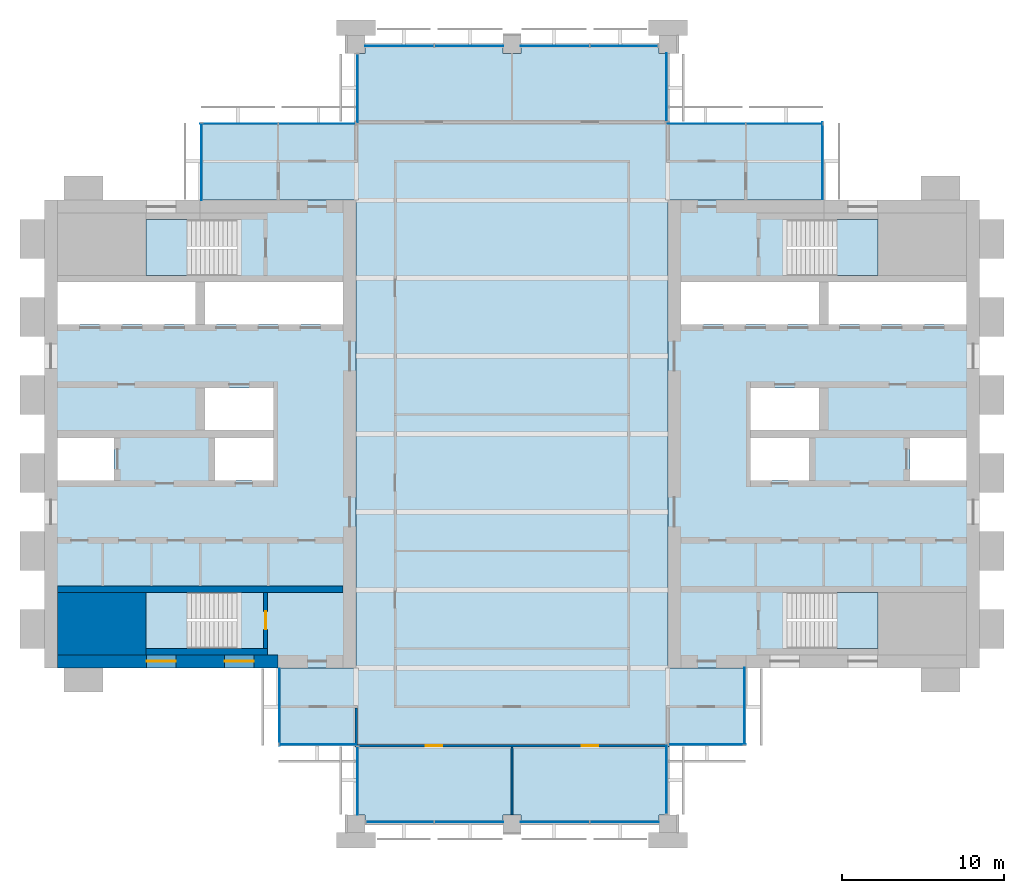
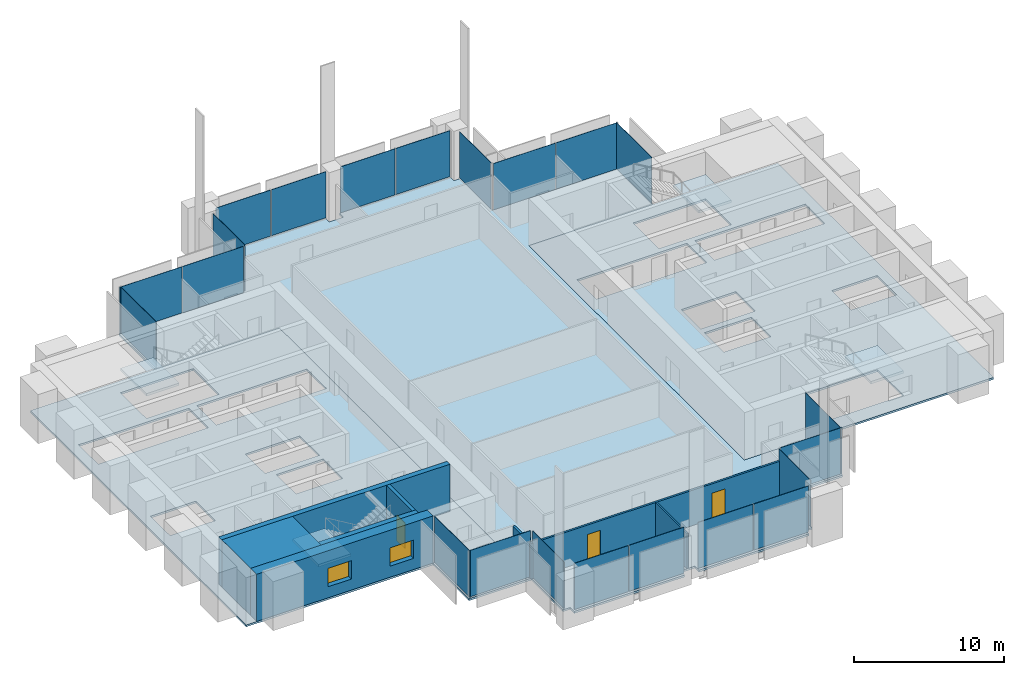
# One storey, part 7 of 13: 22 plates, 8 walls, 7 slabs, 3 doors, 2 windows, 5 openings, 18 elements without a shape of their own.
"""IFC4 building model written with IfcOpenShell, lengths in metres."""

import ifcopenshell
import ifcopenshell.guid

model = None  # the IFC model being written
_history = None  # IfcOwnerHistory: only IFC2X3 demands one
_inside = {}  # id of a spatial element -> (the spatial element, [elements in it])
_under = {}  # id of a project, library or spatial element -> (it, [spatial elements below it])
_declared = {}  # id of a project -> (the project, [libraries it declares])
_typed = {}  # id of a type object -> (the type object, [elements of that type])
_made_of = {}  # id of a material, layer set ... -> (it, [elements and type objects made of it])


def new_model(schema):
    """Start an empty IFC model of exactly this schema.

    Asked for "IFC4X3", IfcOpenShell would pick the latest addendum, in which some entities
    have other attributes; the version numbers below select the first issue.
    IFC2X3 requires an IfcOwnerHistory on every rooted entity: one is made here for all.
    """
    global model, _history
    if schema == "IFC4X3":
        model = ifcopenshell.file(schema_version=(4, 3, 0, 0))
    else:
        model = ifcopenshell.file(schema=schema)
    _inside.clear()
    _under.clear()
    _declared.clear()
    _typed.clear()
    _made_of.clear()
    _history = None
    if model.schema == "IFC2X3":
        org = make("IfcOrganization", Name="unknown")
        user = make(
            "IfcPersonAndOrganization",
            ThePerson=make("IfcPerson", FamilyName="unknown"),
            TheOrganization=org,
        )
        app = make(
            "IfcApplication",
            ApplicationDeveloper=org,
            Version="unknown",
            ApplicationFullName="unknown",
            ApplicationIdentifier="unknown",
        )
        _history = make(
            "IfcOwnerHistory",
            OwningUser=user,
            OwningApplication=app,
            ChangeAction="ADDED",
            CreationDate=0,
        )
    return model


def make(cls, **values):
    """One entity of the class cls with the attributes given. An attribute that is None is left unset."""
    return model.create_entity(
        cls, **{name: value for name, value in values.items() if value is not None}
    )


def rooted(cls, **values):
    """An entity with a GlobalId (a new one), such as an element, a storey or a relation."""
    return make(cls, GlobalId=ifcopenshell.guid.new(), OwnerHistory=_history, **values)


def si_unit(unit_type, name, prefix=None):
    """IfcSIUnit, for example si_unit("LENGTHUNIT", "METRE", prefix="MILLI")."""
    return make("IfcSIUnit", UnitType=unit_type, Prefix=prefix, Name=name)


def assignment(units):
    """IfcUnitAssignment: the units of a project."""
    return None if units is None else make("IfcUnitAssignment", Units=units)


def point(xyz):
    """IfcCartesianPoint."""
    return None if xyz is None else make("IfcCartesianPoint", Coordinates=xyz)


def direction(xyz):
    """IfcDirection."""
    return None if xyz is None else make("IfcDirection", DirectionRatios=xyz)


def frame(location, z_axis=None, x_axis=None):
    """IfcAxis2Placement3D, a coordinate frame: its origin and axes. An axis left out is left unset."""
    return make(
        "IfcAxis2Placement3D",
        Location=point(location),
        Axis=direction(z_axis),
        RefDirection=direction(x_axis),
    )


def frame_2d(location, x_axis=None):
    """IfcAxis2Placement2D, a coordinate frame in the plane: its origin and x axis."""
    return make(
        "IfcAxis2Placement2D", Location=point(location), RefDirection=direction(x_axis)
    )


def origin():
    """The frame at (0, 0, 0) with its axes left unset."""
    return frame((0.0, 0.0, 0.0))


def origin_2d():
    """The frame at (0, 0) in the plane with its x axis left unset."""
    return frame_2d((0.0, 0.0))


def place(relative_to, where):
    """IfcLocalPlacement: puts the frame where relative to a parent placement (None: the world)."""
    return make(
        "IfcLocalPlacement", PlacementRelTo=relative_to, RelativePlacement=where
    )


def context(
    kind, dimensions, precision=None, world=None, true_north=None, identifier=None
):
    """IfcGeometricRepresentationContext, for example the 3D "Model" context."""
    return make(
        "IfcGeometricRepresentationContext",
        ContextIdentifier=identifier,
        ContextType=kind,
        CoordinateSpaceDimension=dimensions,
        Precision=precision,
        WorldCoordinateSystem=world,
        TrueNorth=true_north,
    )


def subcontext(parent, identifier, kind, view, scale=None):
    """IfcGeometricRepresentationSubContext, for example "Body" below "Model"."""
    return make(
        "IfcGeometricRepresentationSubContext",
        ContextIdentifier=identifier,
        ContextType=kind,
        ParentContext=parent,
        TargetScale=scale,
        TargetView=view,
    )


def project(units=None, contexts=None):
    """IfcProject with its units and contexts."""
    return rooted(
        "IfcProject",
        Name="project",
        RepresentationContexts=contexts,
        UnitsInContext=assignment(units),
    )


def spatial(cls, under=None, at=None, **own):
    """A site, building, storey or space (cls), placed at a placement, below another one or the project."""
    s = rooted(cls, ObjectPlacement=at, **own)
    if under is not None:
        _under.setdefault(under.id(), (under, []))[1].append(s)
    return s


def polyline(points):
    """IfcPolyline through the points."""
    return make("IfcPolyline", Points=[point(p) for p in points])


def profile(cls, at=None, kind="AREA", **sizes):
    """A parametric profile (cls). Its sizes go by their IFC names, for example OverallWidth=200.0."""
    return make(cls, ProfileType=kind, Position=at, **sizes)


def rectangle(**sizes):
    """IfcRectangleProfileDef."""
    return profile("IfcRectangleProfileDef", **sizes)


def outline(outer, holes=None, kind="AREA"):
    """IfcArbitraryClosedProfileDef: a profile drawn as a closed curve; with holes, ...WithVoids."""
    if holes is None:
        return make("IfcArbitraryClosedProfileDef", ProfileType=kind, OuterCurve=outer)
    return make(
        "IfcArbitraryProfileDefWithVoids",
        ProfileType=kind,
        OuterCurve=outer,
        InnerCurves=holes,
    )


def extrude(swept, where, along, depth):
    """IfcExtrudedAreaSolid: the profile swept, set in the frame where, extruded along a direction by depth."""
    return make(
        "IfcExtrudedAreaSolid",
        SweptArea=swept,
        Position=where,
        ExtrudedDirection=direction(along),
        Depth=depth,
    )


def shape(context_of_items, identifier, shape_type, items):
    """IfcShapeRepresentation: the items that make up one representation, for example the "Body"."""
    return make(
        "IfcShapeRepresentation",
        ContextOfItems=context_of_items,
        RepresentationIdentifier=identifier,
        RepresentationType=shape_type,
        Items=items,
    )


def material(Name=None, Category=None):
    """IfcMaterial."""
    return make("IfcMaterial", Name=Name, Category=Category)


def layer(
    of_material, thickness, ventilated=None, Name=None, Category=None, Priority=None
):
    """IfcMaterialLayer: one layer of a wall or slab, of a material (None: an air gap)."""
    return make(
        "IfcMaterialLayer",
        Material=of_material,
        LayerThickness=thickness,
        IsVentilated=ventilated,
        Name=Name,
        Category=Category,
        Priority=Priority,
    )


def layer_set(layers, Name=None):
    """IfcMaterialLayerSet."""
    return make("IfcMaterialLayerSet", MaterialLayers=layers, LayerSetName=Name)


def made_of(thing, what):
    """Note that an element or type object is made of a material, layer set ...; save() writes the relation."""
    if what is not None:
        _made_of.setdefault(what.id(), (what, []))[1].append(thing)
    return thing


def type_object(cls, material=None, **own):
    """A type object (cls), such as IfcWallType, which elements share."""
    return made_of(rooted(cls, **own), material)


def element(
    cls,
    number,
    at=None,
    inside=None,
    cuts=None,
    type_object=None,
    material=None,
    context=None,
    identifier="Body",
    shape_type=None,
    held_by="IfcProductDefinitionShape",
    body=None,
    shapes=None,
    **own,
):
    """One element of the class cls, such as IfcWall. Its Tag is "e" and its number.

    at: its placement. inside: the storey or other place that contains it. cuts: it is an
    opening in that element (IfcRelVoidsElement). A single representation is given by context,
    identifier, shape_type and body (its items); several are given by shapes. held_by: the class
    of the entity that holds the representations. save() writes the other relations.
    """
    e = rooted(cls, Tag="e%d" % number, ObjectPlacement=at, **own)
    if body is not None:
        shapes = [shape(context, identifier, shape_type, body)]
    if shapes is not None:
        e.Representation = make(held_by, Representations=shapes)
    if inside is not None:
        _inside.setdefault(inside.id(), (inside, []))[1].append(e)
    if cuts is not None:
        rooted(
            "IfcRelVoidsElement", RelatingBuildingElement=cuts, RelatedOpeningElement=e
        )
    if type_object is not None:
        _typed.setdefault(type_object.id(), (type_object, []))[1].append(e)
    return made_of(e, material)


def fill(opening, filler):
    """IfcRelFillsElement: the door or window that sits in an opening."""
    return rooted(
        "IfcRelFillsElement",
        RelatingOpeningElement=opening,
        RelatedBuildingElement=filler,
    )


def aggregate(whole, parts):
    """IfcRelAggregates: a whole, such as a stair, and the parts it consists of."""
    return rooted("IfcRelAggregates", RelatingObject=whole, RelatedObjects=parts)


def save(model, path):
    """Write the relations noted so far, then the file.

    IfcRelAggregates (storeys below a building ...), IfcRelContainedInSpatialStructure (elements
    in a storey), IfcRelDefinesByType, IfcRelAssociatesMaterial and IfcRelDeclares: one each for
    every whole, place, type object, material and project.
    """
    for whole, parts in _under.values():
        aggregate(whole, parts)
    for where, things in _inside.values():
        rooted(
            "IfcRelContainedInSpatialStructure",
            RelatedElements=things,
            RelatingStructure=where,
        )
    for kind, things in _typed.values():
        rooted("IfcRelDefinesByType", RelatedObjects=things, RelatingType=kind)
    for what, things in _made_of.values():
        rooted("IfcRelAssociatesMaterial", RelatedObjects=things, RelatingMaterial=what)
    for by, libraries in _declared.values():
        rooted("IfcRelDeclares", RelatingContext=by, RelatedDefinitions=libraries)
    model.write(path)


model = new_model("IFC4")

# Units and contexts
model_context = context("Model", 3, precision=1e-05, world=origin(), true_north=direction((0.0, 1.0)))
body_context = subcontext(model_context, "Body", "Model", "MODEL_VIEW")
ifc_project = project(units=[si_unit("LENGTHUNIT", "METRE"), si_unit("AREAUNIT", "SQUARE_METRE"), si_unit("VOLUMEUNIT", "CUBIC_METRE"), si_unit("PLANEANGLEUNIT", "RADIAN"), si_unit("MASSUNIT", "GRAM", prefix="KILO")], contexts=[model_context])

# Site, building, storey
site_placement = place(None, origin())
site = spatial("IfcSite", under=ifc_project, at=site_placement, CompositionType="ELEMENT")
building_placement = place(site_placement, origin())
building = spatial("IfcBuilding", under=site, at=building_placement, Name="Baori Bourse Tower", CompositionType="ELEMENT")
storey_placement = place(building_placement, frame((0.0, 0.0, 249.199951171875)))
storey = spatial("IfcBuildingStorey", under=building, at=storey_placement, Name="L55", CompositionType="ELEMENT", Elevation=249.199951171875)

# Curtain wall, plate
ifc_material_1 = material(Name="Pale anodised aluminium", Category="aluminium")
curtain_wall_type_1 = type_object("IfcCurtainWallType", Name="CW2 Curtain wall", PredefinedType="NOTDEFINED", material=ifc_material_1)
curtain_wall_1_placement = place(storey_placement, origin())
curtain_wall_1 = element("IfcCurtainWall", 1, at=curtain_wall_1_placement, inside=storey, type_object=curtain_wall_type_1, Name="Curtain wall CW2 L55 1", PredefinedType="NOTDEFINED")
ifc_material_2 = material(Name="Clear glass", Category="glass")
ifc_layer_1 = layer(ifc_material_2, 0.030029296875)
ifc_layer_set_1 = layer_set([ifc_layer_1], Name="CW2 Curtain wall panel")
plate_type_1 = type_object("IfcPlateType", Name="CW2 Curtain wall panel", PredefinedType="CURTAIN_PANEL", material=ifc_layer_set_1)
plate_1_placement = place(storey_placement, frame((47.909912109375, 40.827392578125, 0.070068359375), z_axis=(0.0, 0.0, 1.0), x_axis=(0.0, 1.0, 0.0)))
plate_1 = element("IfcPlate", 2, at=plate_1_placement, type_object=plate_type_1, Name="Curtain wall CW2 panel", PredefinedType="CURTAIN_PANEL", context=body_context, shape_type="SweptSolid", body=[
    extrude(rectangle(XDim=4.7451171875, YDim=0.030029296875, at=origin_2d()), origin(), (0.0, 0.0, 1.0), 3.77001953125),
])
aggregate(curtain_wall_1, [plate_1])

# Curtain wall, plates
curtain_wall_2_placement = place(storey_placement, origin())
curtain_wall_2 = element("IfcCurtainWall", 3, at=curtain_wall_2_placement, inside=storey, type_object=curtain_wall_type_1, Name="Curtain wall CW2 L55 2", PredefinedType="NOTDEFINED")
plate_2_placement = place(storey_placement, frame((45.586181640625, 43.110107421875, 0.070068359375), z_axis=(0.0, 0.0, 1.0), x_axis=(-1.0, 0.0, 0.0)))
plate_2 = element("IfcPlate", 4, at=plate_2_placement, type_object=plate_type_1, Name="Curtain wall CW2 panel", PredefinedType="CURTAIN_PANEL", context=body_context, shape_type="SweptSolid", body=[
    extrude(rectangle(XDim=4.717529296875, YDim=0.030029296875, at=origin_2d()), origin(), (0.0, 0.0, 1.0), 3.77001953125),
])
plate_3_placement = place(storey_placement, frame((40.7861328125, 43.110107421875, 0.070068359375), z_axis=(0.0, 0.0, 1.0), x_axis=(-1.0, 0.0, 0.0)))
plate_3 = element("IfcPlate", 5, at=plate_3_placement, type_object=plate_type_1, Name="Curtain wall CW2 panel", PredefinedType="CURTAIN_PANEL", context=body_context, shape_type="SweptSolid", body=[
    extrude(rectangle(XDim=4.7724609375, YDim=0.030029296875, at=origin_2d()), origin(), (0.0, 0.0, 1.0), 3.77001953125),
])
aggregate(curtain_wall_2, [plate_2, plate_3])

# Curtain wall, plate
curtain_wall_3_placement = place(storey_placement, origin())
curtain_wall_3 = element("IfcCurtainWall", 6, at=curtain_wall_3_placement, inside=storey, type_object=curtain_wall_type_1, Name="Curtain wall CW2 L55 3", PredefinedType="NOTDEFINED")
plate_4_placement = place(storey_placement, frame((38.31005859375, 45.3525390625, 0.070068359375), z_axis=(0.0, 0.0, 1.0), x_axis=(0.0, 1.0, 0.0)))
plate_4 = element("IfcPlate", 7, at=plate_4_placement, type_object=plate_type_1, Name="Curtain wall CW2 panel", PredefinedType="CURTAIN_PANEL", context=body_context, shape_type="SweptSolid", body=[
    extrude(rectangle(XDim=4.195068359375, YDim=0.030029296875, at=origin_2d()), origin(), (0.0, 0.0, 1.0), 3.77001953125),
])
aggregate(curtain_wall_3, [plate_4])

curtain_wall_4_placement = place(storey_placement, origin())
curtain_wall_4 = element("IfcCurtainWall", 8, at=curtain_wall_4_placement, inside=storey, type_object=curtain_wall_type_1, Name="Curtain wall CW2 L55 5", PredefinedType="NOTDEFINED")
plate_5_placement = place(storey_placement, frame((19.2900390625, 45.297607421875, 0.070068359375), z_axis=(0.0, 0.0, 1.0), x_axis=(0.0, -1.0, 0.0)))
plate_5 = element("IfcPlate", 9, at=plate_5_placement, type_object=plate_type_1, Name="Curtain wall CW2 panel", PredefinedType="CURTAIN_PANEL", context=body_context, shape_type="SweptSolid", body=[
    extrude(rectangle(XDim=4.195068359375, YDim=0.030029296875, at=origin_2d()), origin(), (0.0, 0.0, 1.0), 3.77001953125),
])
aggregate(curtain_wall_4, [plate_5])

# Curtain wall, plates
curtain_wall_5_placement = place(storey_placement, origin())
curtain_wall_5 = element("IfcCurtainWall", 10, at=curtain_wall_5_placement, inside=storey, type_object=curtain_wall_type_1, Name="Curtain wall CW2 L55 6", PredefinedType="NOTDEFINED")
plate_6_placement = place(storey_placement, frame((16.7861328125, 43.110107421875, 0.070068359375), z_axis=(0.0, 0.0, 1.0), x_axis=(-1.0, 0.0, 0.0)))
plate_6 = element("IfcPlate", 11, at=plate_6_placement, type_object=plate_type_1, Name="Curtain wall CW2 panel", PredefinedType="CURTAIN_PANEL", context=body_context, shape_type="SweptSolid", body=[
    extrude(rectangle(XDim=4.717529296875, YDim=0.030029296875, at=origin_2d()), origin(), (0.0, 0.0, 1.0), 3.77001953125),
])
plate_7_placement = place(storey_placement, frame((11.986328125, 43.110107421875, 0.070068359375), z_axis=(0.0, 0.0, 1.0), x_axis=(-1.0, 0.0, 0.0)))
plate_7 = element("IfcPlate", 12, at=plate_7_placement, type_object=plate_type_1, Name="Curtain wall CW2 panel", PredefinedType="CURTAIN_PANEL", context=body_context, shape_type="SweptSolid", body=[
    extrude(rectangle(XDim=4.7724609375, YDim=0.030029296875, at=origin_2d()), origin(), (0.0, 0.0, 1.0), 3.77001953125),
])
aggregate(curtain_wall_5, [plate_6, plate_7])

# Curtain wall, plate
curtain_wall_6_placement = place(storey_placement, origin())
curtain_wall_6 = element("IfcCurtainWall", 13, at=curtain_wall_6_placement, inside=storey, type_object=curtain_wall_type_1, Name="Curtain wall CW2 L55 7", PredefinedType="NOTDEFINED")
plate_8_placement = place(storey_placement, frame((9.68994140625, 40.7724609375, 0.070068359375), z_axis=(0.0, 0.0, 1.0), x_axis=(0.0, -1.0, 0.0)))
plate_8 = element("IfcPlate", 14, at=plate_8_placement, type_object=plate_type_1, Name="Curtain wall CW2 panel", PredefinedType="CURTAIN_PANEL", context=body_context, shape_type="SweptSolid", body=[
    extrude(rectangle(XDim=4.7451171875, YDim=0.030029296875, at=origin_2d()), origin(), (0.0, 0.0, 1.0), 3.77001953125),
])
aggregate(curtain_wall_6, [plate_8])

curtain_wall_7_placement = place(storey_placement, origin())
curtain_wall_7 = element("IfcCurtainWall", 15, at=curtain_wall_7_placement, inside=storey, type_object=curtain_wall_type_1, Name="Curtain wall CW2 L55 8", PredefinedType="NOTDEFINED")
plate_9_placement = place(storey_placement, frame((14.489990234375, 7.172607421875, 0.070068359375), z_axis=(0.0, 0.0, 1.0), x_axis=(0.0, -1.0, 0.0)))
plate_9 = element("IfcPlate", 16, at=plate_9_placement, type_object=plate_type_1, Name="Curtain wall CW2 panel", PredefinedType="CURTAIN_PANEL", context=body_context, shape_type="SweptSolid", body=[
    extrude(rectangle(XDim=4.7451171875, YDim=0.030029296875, at=origin_2d()), origin(), (0.0, 0.0, 1.0), 3.77001953125),
])
aggregate(curtain_wall_7, [plate_9])

curtain_wall_8_placement = place(storey_placement, origin())
curtain_wall_8 = element("IfcCurtainWall", 17, at=curtain_wall_8_placement, inside=storey, type_object=curtain_wall_type_1, Name="Curtain wall CW2 L55 9", PredefinedType="NOTDEFINED")
plate_10_placement = place(storey_placement, frame((16.827392578125, 4.889892578125, 0.070068359375), z_axis=(0.0, 0.0, 1.0), x_axis=(1.0, 0.0, 0.0)))
plate_10 = element("IfcPlate", 18, at=plate_10_placement, type_object=plate_type_1, Name="Curtain wall CW2 panel", PredefinedType="CURTAIN_PANEL", context=body_context, shape_type="SweptSolid", body=[
    extrude(rectangle(XDim=4.7451171875, YDim=0.030029296875, at=origin_2d()), origin(), (0.0, 0.0, 1.0), 3.77001953125),
])
aggregate(curtain_wall_8, [plate_10])

curtain_wall_9_placement = place(storey_placement, origin())
curtain_wall_9 = element("IfcCurtainWall", 19, at=curtain_wall_9_placement, inside=storey, type_object=curtain_wall_type_1, Name="Curtain wall CW2 L55 10", PredefinedType="NOTDEFINED")
plate_11_placement = place(storey_placement, frame((19.2900390625, 2.6474609375, 0.070068359375), z_axis=(0.0, 0.0, 1.0), x_axis=(0.0, -1.0, 0.0)))
plate_11 = element("IfcPlate", 20, at=plate_11_placement, type_object=plate_type_1, Name="Curtain wall CW2 panel", PredefinedType="CURTAIN_PANEL", context=body_context, shape_type="SweptSolid", body=[
    extrude(rectangle(XDim=4.195068359375, YDim=0.030029296875, at=origin_2d()), origin(), (0.0, 0.0, 1.0), 3.77001953125),
])
aggregate(curtain_wall_9, [plate_11])

curtain_wall_10_placement = place(storey_placement, origin())
curtain_wall_10 = element("IfcCurtainWall", 21, at=curtain_wall_10_placement, inside=storey, type_object=curtain_wall_type_1, Name="Curtain wall CW2 L55 12", PredefinedType="NOTDEFINED")
plate_12_placement = place(storey_placement, frame((38.31005859375, 2.702392578125, 0.070068359375), z_axis=(0.0, 0.0, 1.0), x_axis=(0.0, 1.0, 0.0)))
plate_12 = element("IfcPlate", 22, at=plate_12_placement, type_object=plate_type_1, Name="Curtain wall CW2 panel", PredefinedType="CURTAIN_PANEL", context=body_context, shape_type="SweptSolid", body=[
    extrude(rectangle(XDim=4.195068359375, YDim=0.030029296875, at=origin_2d()), origin(), (0.0, 0.0, 1.0), 3.77001953125),
])
aggregate(curtain_wall_10, [plate_12])

curtain_wall_11_placement = place(storey_placement, origin())
curtain_wall_11 = element("IfcCurtainWall", 23, at=curtain_wall_11_placement, inside=storey, type_object=curtain_wall_type_1, Name="Curtain wall CW2 L55 13", PredefinedType="NOTDEFINED")
plate_13_placement = place(storey_placement, frame((40.827392578125, 4.889892578125, 0.070068359375), z_axis=(0.0, 0.0, 1.0), x_axis=(1.0, 0.0, 0.0)))
plate_13 = element("IfcPlate", 24, at=plate_13_placement, type_object=plate_type_1, Name="Curtain wall CW2 panel", PredefinedType="CURTAIN_PANEL", context=body_context, shape_type="SweptSolid", body=[
    extrude(rectangle(XDim=4.7451171875, YDim=0.030029296875, at=origin_2d()), origin(), (0.0, 0.0, 1.0), 3.77001953125),
])
aggregate(curtain_wall_11, [plate_13])

curtain_wall_12_placement = place(storey_placement, origin())
curtain_wall_12 = element("IfcCurtainWall", 25, at=curtain_wall_12_placement, inside=storey, type_object=curtain_wall_type_1, Name="Curtain wall CW2 L55 14", PredefinedType="NOTDEFINED")
plate_14_placement = place(storey_placement, frame((43.110107421875, 7.2275390625, 0.070068359375), z_axis=(0.0, 0.0, 1.0), x_axis=(0.0, 1.0, 0.0)))
plate_14 = element("IfcPlate", 26, at=plate_14_placement, type_object=plate_type_1, Name="Curtain wall CW2 panel", PredefinedType="CURTAIN_PANEL", context=body_context, shape_type="SweptSolid", body=[
    extrude(rectangle(XDim=4.7451171875, YDim=0.030029296875, at=origin_2d()), origin(), (0.0, 0.0, 1.0), 3.77001953125),
])
aggregate(curtain_wall_12, [plate_14])

# Curtain wall, plates
ifc_material_3 = material(Name="Pale anodised aluminium", Category="aluminium")
curtain_wall_type_2 = type_object("IfcCurtainWallType", Name="CW5 Curtain wall", PredefinedType="NOTDEFINED", material=ifc_material_3)
curtain_wall_13_placement = place(storey_placement, origin())
curtain_wall_13 = element("IfcCurtainWall", 27, at=curtain_wall_13_placement, inside=storey, type_object=curtain_wall_type_2, Name="Curtain wall CW5 L55 4", PredefinedType="NOTDEFINED")
ifc_material_4 = material(Name="Clear glass", Category="glass")
ifc_layer_2 = layer(ifc_material_4, 0.035888671875)
ifc_layer_set_2 = layer_set([ifc_layer_2], Name="CW5 Curtain wall panel")
plate_type_2 = type_object("IfcPlateType", Name="CW5 Curtain wall panel", PredefinedType="CURTAIN_PANEL", material=ifc_layer_set_2)
plate_15_placement = place(storey_placement, frame((35.708740234375, 47.889892578125, 0.085205078125), z_axis=(0.0, 0.0, 1.0), x_axis=(-1.0, 0.0, 0.0)))
plate_15 = element("IfcPlate", 28, at=plate_15_placement, type_object=plate_type_2, Name="Curtain wall CW5 panel", PredefinedType="CURTAIN_PANEL", context=body_context, shape_type="SweptSolid", body=[
    extrude(rectangle(XDim=4.152587890625, YDim=0.035888671875, at=origin_2d()), origin(), (0.0, 0.0, 1.0), 3.7548828125),
])
plate_16_placement = place(storey_placement, frame((31.458740234375, 47.889892578125, 0.085205078125), z_axis=(0.0, 0.0, 1.0), x_axis=(-1.0, 0.0, 0.0)))
plate_16 = element("IfcPlate", 29, at=plate_16_placement, type_object=plate_type_2, Name="Curtain wall CW5 panel", PredefinedType="CURTAIN_PANEL", context=body_context, shape_type="SweptSolid", body=[
    extrude(rectangle(XDim=4.217529296875, YDim=0.035888671875, at=origin_2d()), origin(), (0.0, 0.0, 1.0), 3.7548828125),
])
plate_17_placement = place(storey_placement, frame((26.141357421875, 47.889892578125, 0.085205078125), z_axis=(0.0, 0.0, 1.0), x_axis=(-1.0, 0.0, 0.0)))
plate_17 = element("IfcPlate", 30, at=plate_17_placement, type_object=plate_type_2, Name="Curtain wall CW5 panel", PredefinedType="CURTAIN_PANEL", context=body_context, shape_type="SweptSolid", body=[
    extrude(rectangle(XDim=4.217529296875, YDim=0.035888671875, at=origin_2d()), origin(), (0.0, 0.0, 1.0), 3.7548828125),
])
plate_18_placement = place(storey_placement, frame((21.858642578125, 47.889892578125, 0.085205078125), z_axis=(0.0, 0.0, 1.0), x_axis=(-1.0, 0.0, 0.0)))
plate_18 = element("IfcPlate", 31, at=plate_18_placement, type_object=plate_type_2, Name="Curtain wall CW5 panel", PredefinedType="CURTAIN_PANEL", context=body_context, shape_type="SweptSolid", body=[
    extrude(rectangle(XDim=4.217529296875, YDim=0.035888671875, at=origin_2d()), origin(), (0.0, 0.0, 1.0), 3.7548828125),
])
aggregate(curtain_wall_13, [plate_15, plate_16, plate_17, plate_18])

curtain_wall_14_placement = place(storey_placement, origin())
curtain_wall_14 = element("IfcCurtainWall", 32, at=curtain_wall_14_placement, inside=storey, type_object=curtain_wall_type_2, Name="Curtain wall CW5 L55 11", PredefinedType="NOTDEFINED")
plate_19_placement = place(storey_placement, frame((21.891357421875, 0.110107421875, 0.085205078125), z_axis=(0.0, 0.0, 1.0), x_axis=(1.0, 0.0, 0.0)))
plate_19 = element("IfcPlate", 33, at=plate_19_placement, type_object=plate_type_2, Name="Curtain wall CW5 panel", PredefinedType="CURTAIN_PANEL", context=body_context, shape_type="SweptSolid", body=[
    extrude(rectangle(XDim=4.152587890625, YDim=0.035888671875, at=origin_2d()), origin(), (0.0, 0.0, 1.0), 3.7548828125),
])
plate_20_placement = place(storey_placement, frame((26.141357421875, 0.110107421875, 0.085205078125), z_axis=(0.0, 0.0, 1.0), x_axis=(1.0, 0.0, 0.0)))
plate_20 = element("IfcPlate", 34, at=plate_20_placement, type_object=plate_type_2, Name="Curtain wall CW5 panel", PredefinedType="CURTAIN_PANEL", context=body_context, shape_type="SweptSolid", body=[
    extrude(rectangle(XDim=4.217529296875, YDim=0.035888671875, at=origin_2d()), origin(), (0.0, 0.0, 1.0), 3.7548828125),
])
plate_21_placement = place(storey_placement, frame((31.458740234375, 0.110107421875, 0.085205078125), z_axis=(0.0, 0.0, 1.0), x_axis=(1.0, 0.0, 0.0)))
plate_21 = element("IfcPlate", 35, at=plate_21_placement, type_object=plate_type_2, Name="Curtain wall CW5 panel", PredefinedType="CURTAIN_PANEL", context=body_context, shape_type="SweptSolid", body=[
    extrude(rectangle(XDim=4.217529296875, YDim=0.035888671875, at=origin_2d()), origin(), (0.0, 0.0, 1.0), 3.7548828125),
])
plate_22_placement = place(storey_placement, frame((35.7412109375, 0.110107421875, 0.085205078125), z_axis=(0.0, 0.0, 1.0), x_axis=(1.0, 0.0, 0.0)))
plate_22 = element("IfcPlate", 36, at=plate_22_placement, type_object=plate_type_2, Name="Curtain wall CW5 panel", PredefinedType="CURTAIN_PANEL", context=body_context, shape_type="SweptSolid", body=[
    extrude(rectangle(XDim=4.217529296875, YDim=0.035888671875, at=origin_2d()), origin(), (0.0, 0.0, 1.0), 3.7548828125),
])
aggregate(curtain_wall_14, [plate_19, plate_20, plate_21, plate_22])

# Slabs
ifc_material_5 = material(Name="Concrete f'c 50 MPa", Category="concrete")
ifc_layer_3 = layer(ifc_material_5, 0.159912109375)
ifc_layer_set_3 = layer_set([ifc_layer_3], Name="Core slab 160")
slab_type_1 = type_object("IfcSlabType", Name="Core slab 160", PredefinedType="FLOOR", material=ifc_layer_set_3)
slab_1_placement = place(storey_placement, frame((0.0, 0.0, -0.159912109375)))
element("IfcSlab", 37, at=slab_1_placement, inside=storey, type_object=slab_type_1, Name="Core floor slab W01", PredefinedType="FLOOR", context=body_context, shape_type="SweptSolid", body=[
    extrude(outline(polyline([(19.199951171875, 38.39990234375), (0.0, 38.39990234375), (0.0, 9.60009765625), (19.199951171875, 9.60009765625), (19.199951171875, 38.39990234375)]), holes=[polyline([(9.89990234375, 33.35009765625), (18.39990234375, 33.35009765625), (18.39990234375, 30.75), (9.89990234375, 30.75), (9.89990234375, 33.35009765625)]), polyline([(10.5, 21.14990234375), (10.5, 23.75), (14.10009765625, 23.75), (14.10009765625, 21.14990234375), (10.5, 21.14990234375)]), polyline([(14.10009765625, 24.25), (9.89990234375, 24.25), (9.89990234375, 26.85009765625), (14.10009765625, 26.85009765625), (14.10009765625, 24.25)]), polyline([(6.25, 14.25), (11.84912109375, 14.25), (11.84912109375, 10.800048828125), (6.25, 10.800048828125), (6.25, 14.25)]), polyline([(11.84912109375, 37.199951171875), (11.84912109375, 33.75), (6.25, 33.75), (6.25, 37.199951171875), (11.84912109375, 37.199951171875)]), polyline([(0.800048828125, 30.75), (0.800048828125, 33.35009765625), (9.300048828125, 33.35009765625), (9.300048828125, 30.75), (0.800048828125, 30.75)]), polyline([(4.300048828125, 23.75), (4.300048828125, 21.14990234375), (0.800048828125, 21.14990234375), (0.800048828125, 23.75), (4.300048828125, 23.75)])]), origin(), (0.0, 0.0, 1.0), 0.159912109375),
])
slab_2_placement = place(storey_placement, frame((0.0, 0.0, -0.159912109375)))
element("IfcSlab", 38, at=slab_2_placement, inside=storey, type_object=slab_type_1, Name="Core floor slab E01", PredefinedType="FLOOR", context=body_context, shape_type="SweptSolid", body=[
    extrude(outline(polyline([(57.60009765625, 9.60009765625), (57.60009765625, 38.39990234375), (38.39990234375, 38.39990234375), (38.39990234375, 9.60009765625), (57.60009765625, 9.60009765625)]), holes=[polyline([(48.300048828125, 33.35009765625), (56.800048828125, 33.35009765625), (56.800048828125, 30.75), (48.300048828125, 30.75), (48.300048828125, 33.35009765625)]), polyline([(56.800048828125, 21.14990234375), (53.300048828125, 21.14990234375), (53.300048828125, 23.75), (56.800048828125, 23.75), (56.800048828125, 21.14990234375)]), polyline([(45.750732421875, 14.25), (51.35009765625, 14.25), (51.35009765625, 10.800048828125), (45.750732421875, 10.800048828125), (45.750732421875, 14.25)]), polyline([(51.35009765625, 37.199951171875), (51.35009765625, 33.75), (45.750732421875, 33.75), (45.750732421875, 37.199951171875), (51.35009765625, 37.199951171875)]), polyline([(43.5, 24.25), (43.5, 26.85009765625), (47.699951171875, 26.85009765625), (47.699951171875, 24.25), (43.5, 24.25)]), polyline([(47.699951171875, 33.35009765625), (47.699951171875, 30.75), (39.199951171875, 30.75), (39.199951171875, 33.35009765625), (47.699951171875, 33.35009765625)]), polyline([(43.5, 23.75), (47.10009765625, 23.75), (47.10009765625, 21.14990234375), (43.5, 21.14990234375), (43.5, 23.75)])]), origin(), (0.0, 0.0, 1.0), 0.159912109375),
])

# Stair, slab
ifc_material_6 = material(Name="Concrete f'c 50 MPa", Category="concrete")
stair_type = type_object("IfcStairType", Name="Core stair", PredefinedType="HALF_TURN_STAIR", material=ifc_material_6)
stair_1_placement = place(storey_placement, origin())
stair_1 = element("IfcStair", 39, at=stair_1_placement, inside=storey, type_object=stair_type, Name="L55 Stair WA", PredefinedType="HALF_TURN_STAIR")
ifc_material_7 = material(Name="Concrete f'c 50 MPa", Category="concrete")
slab_type_2 = type_object("IfcSlabType", Name="Core stair landing", PredefinedType="LANDING", material=ifc_material_7)
slab_3_placement = place(storey_placement, frame((0.0, 0.0, 1.800048828125)))
slab_3 = element("IfcSlab", 40, at=slab_3_placement, type_object=slab_type_2, Name="ST1 landing 1", PredefinedType="LANDING", context=body_context, shape_type="SweptSolid", body=[
    extrude(outline(polyline([(8.77001953125, 14.25), (6.25, 14.25), (6.25, 10.800048828125), (8.77001953125, 10.800048828125), (8.77001953125, 14.25)])), origin(), (0.0, 0.0, 1.0), 0.199951171875),
])
aggregate(stair_1, [slab_3])

stair_2_placement = place(storey_placement, origin())
stair_2 = element("IfcStair", 41, at=stair_2_placement, inside=storey, type_object=stair_type, Name="L55 Stair WB", PredefinedType="HALF_TURN_STAIR")
slab_4_placement = place(storey_placement, frame((0.0, 0.0, 1.800048828125)))
slab_4 = element("IfcSlab", 42, at=slab_4_placement, type_object=slab_type_2, Name="ST2 landing 1", PredefinedType="LANDING", context=body_context, shape_type="SweptSolid", body=[
    extrude(outline(polyline([(8.77001953125, 37.199951171875), (6.25, 37.199951171875), (6.25, 33.75), (8.77001953125, 33.75), (8.77001953125, 37.199951171875)])), origin(), (0.0, 0.0, 1.0), 0.199951171875),
])
aggregate(stair_2, [slab_4])

stair_3_placement = place(storey_placement, origin())
stair_3 = element("IfcStair", 43, at=stair_3_placement, inside=storey, type_object=stair_type, Name="L55 Stair EA", PredefinedType="HALF_TURN_STAIR")
slab_5_placement = place(storey_placement, frame((0.0, 0.0, 1.800048828125)))
slab_5 = element("IfcSlab", 44, at=slab_5_placement, type_object=slab_type_2, Name="ST3 landing 1", PredefinedType="LANDING", context=body_context, shape_type="SweptSolid", body=[
    extrude(outline(polyline([(48.830078125, 10.800048828125), (51.35009765625, 10.800048828125), (51.35009765625, 14.25), (48.830078125, 14.25), (48.830078125, 10.800048828125)])), origin(), (0.0, 0.0, 1.0), 0.199951171875),
])
aggregate(stair_3, [slab_5])

stair_4_placement = place(storey_placement, origin())
stair_4 = element("IfcStair", 45, at=stair_4_placement, inside=storey, type_object=stair_type, Name="L55 Stair EB", PredefinedType="HALF_TURN_STAIR")
slab_6_placement = place(storey_placement, frame((0.0, 0.0, 1.800048828125)))
slab_6 = element("IfcSlab", 46, at=slab_6_placement, type_object=slab_type_2, Name="ST4 landing 1", PredefinedType="LANDING", context=body_context, shape_type="SweptSolid", body=[
    extrude(outline(polyline([(48.830078125, 33.75), (51.35009765625, 33.75), (51.35009765625, 37.199951171875), (48.830078125, 37.199951171875), (48.830078125, 33.75)])), origin(), (0.0, 0.0, 1.0), 0.199951171875),
])
aggregate(stair_4, [slab_6])

# Slab
ifc_material_8 = material(Name="Concrete f'c 40 MPa", Category="concrete")
ifc_layer_4 = layer(ifc_material_8, 0.159912109375)
ifc_layer_set_4 = layer_set([ifc_layer_4], Name="Floor slab 160")
slab_type_3 = type_object("IfcSlabType", Name="Floor slab 160", PredefinedType="FLOOR", material=ifc_layer_set_4)
slab_7_placement = place(storey_placement, frame((0.0, 0.0, -0.159912109375)))
element("IfcSlab", 47, at=slab_7_placement, inside=storey, type_object=slab_type_3, Name="Floor slab L55", PredefinedType="FLOOR", context=body_context, shape_type="SweptSolid", body=[
    extrude(outline(polyline([(19.199951171875, 4.800048828125), (14.39990234375, 4.800048828125), (14.39990234375, 9.60009765625), (19.199951171875, 9.60009765625), (19.199951171875, 38.39990234375), (9.60009765625, 38.39990234375), (9.60009765625, 43.199951171875), (19.199951171875, 43.199951171875), (19.199951171875, 47.449951171875), (19.75, 47.449951171875), (19.75, 48.0), (28.25, 48.0), (28.25, 47.449951171875), (29.35009765625, 47.449951171875), (29.35009765625, 48.0), (37.85009765625, 48.0), (37.85009765625, 47.449951171875), (38.39990234375, 47.449951171875), (38.39990234375, 43.199951171875), (48.0, 43.199951171875), (48.0, 38.39990234375), (38.39990234375, 38.39990234375), (38.39990234375, 9.60009765625), (43.199951171875, 9.60009765625), (43.199951171875, 4.800048828125), (38.39990234375, 4.800048828125), (38.39990234375, 0.550048828125), (37.85009765625, 0.550048828125), (37.85009765625, 0.0), (29.35009765625, 0.0), (29.35009765625, 0.550048828125), (28.25, 0.550048828125), (28.25, 0.0), (19.75, 0.0), (19.75, 0.550048828125), (19.199951171875, 0.550048828125), (19.199951171875, 4.800048828125)])), origin(), (0.0, 0.0, 1.0), 0.159912109375),
])

# Wall
ifc_material_9 = material(Name="Concrete f'c 50 MPa", Category="concrete")
wall_type_1 = type_object("IfcWallType", Name="Core corner block f'c 50", PredefinedType="SHEAR", material=ifc_material_9)
wall_1_placement = place(storey_placement, frame((0.800048828125, 12.324951171875, 0.0), z_axis=(0.0, 0.0, 1.0), x_axis=(1.0, 0.0, 0.0)))
element("IfcWall", 48, at=wall_1_placement, inside=storey, type_object=wall_type_1, Name="Core wall W05", PredefinedType="SHEAR", context=body_context, shape_type="SweptSolid", body=[
    extrude(rectangle(XDim=5.449951171875, YDim=3.85009765625, at=frame_2d((2.72509765625, 0.0))), origin(), (0.0, 0.0, 1.0), 3.840087890625),
])

# Wall, openings, windows
ifc_material_10 = material(Name="Concrete f'c 50 MPa", Category="concrete")
ifc_layer_5 = layer(ifc_material_10, 0.800048828125)
ifc_layer_set_5 = layer_set([ifc_layer_5], Name="Core wall 800 f'c 50")
wall_type_2 = type_object("IfcWallType", Name="Core wall 800 f'c 50", PredefinedType="SHEAR", material=ifc_layer_set_5)
wall_2_placement = place(storey_placement, frame((14.39990234375, 10.0, 0.0), z_axis=(0.0, 0.0, 1.0), x_axis=(-1.0, 0.0, 0.0)))
wall_2 = element("IfcWall", 49, at=wall_2_placement, inside=storey, type_object=wall_type_2, Name="Core wall W02", PredefinedType="SHEAR", context=body_context, shape_type="SweptSolid", body=[
    extrude(rectangle(XDim=13.599853515625, YDim=0.800048828125, at=frame_2d((6.7998046875, 0.0))), origin(), (0.0, 0.0, 1.0), 3.840087890625),
])
opening_1_placement = place(wall_2_placement, frame((6.300048828125, 0.0, 0.89990234375)))
opening_1 = element("IfcOpeningElement", 50, at=opening_1_placement, cuts=wall_2, Name="Opening L55-KW103", PredefinedType="OPENING", context=body_context, shape_type="SweptSolid", body=[
    extrude(rectangle(XDim=1.800048828125, YDim=1.5, at=frame_2d((0.89990234375, 0.75))), frame((0.0, 0.409912109375, 0.0), z_axis=(0.0, -1.0, 0.0), x_axis=(1.0, 0.0, 0.0)), (0.0, 0.0, 1.0), 0.820068359375),
])
opening_2_placement = place(wall_2_placement, frame((1.5, 0.0, 0.89990234375)))
opening_2 = element("IfcOpeningElement", 51, at=opening_2_placement, cuts=wall_2, Name="Opening L55-KW104", PredefinedType="OPENING", context=body_context, shape_type="SweptSolid", body=[
    extrude(rectangle(XDim=1.800048828125, YDim=1.5, at=frame_2d((0.89990234375, 0.75))), frame((0.0, 0.409912109375, 0.0), z_axis=(0.0, -1.0, 0.0), x_axis=(1.0, 0.0, 0.0)), (0.0, 0.0, 1.0), 0.820068359375),
])
ifc_material_11 = material(Name="Pale anodised aluminium", Category="aluminium")
window_type = type_object("IfcWindowType", Name="Stair window 1800 x 1500", PartitioningType="SINGLE_PANEL", PredefinedType="WINDOW", material=ifc_material_11)
window_1_placement = place(opening_1_placement, origin())
window_1 = element("IfcWindow", 52, at=window_1_placement, inside=storey, type_object=window_type, Name="Stair window W L55 3", OverallHeight=1.5, OverallWidth=1.800048828125, PartitioningType="SINGLE_PANEL", PredefinedType="WINDOW", context=body_context, shape_type="SweptSolid", body=[
    extrude(rectangle(XDim=1.800048828125, YDim=1.5, at=frame_2d((0.89990234375, 0.75))), frame((0.0, 0.030029296875, 0.0), z_axis=(0.0, -1.0, 0.0), x_axis=(1.0, 0.0, 0.0)), (0.0, 0.0, 1.0), 0.06005859375),
])
fill(opening_1, window_1)
window_2_placement = place(opening_2_placement, origin())
window_2 = element("IfcWindow", 53, at=window_2_placement, inside=storey, type_object=window_type, Name="Stair window W L55 4", OverallHeight=1.5, OverallWidth=1.800048828125, PartitioningType="SINGLE_PANEL", PredefinedType="WINDOW", context=body_context, shape_type="SweptSolid", body=[
    extrude(rectangle(XDim=1.800048828125, YDim=1.5, at=frame_2d((0.89990234375, 0.75))), frame((0.0, 0.030029296875, 0.0), z_axis=(0.0, -1.0, 0.0), x_axis=(1.0, 0.0, 0.0)), (0.0, 0.0, 1.0), 0.06005859375),
])
fill(opening_2, window_2)

# Wall, openings, doors
ifc_material_12 = material(Name="Gypsum board partition")
ifc_layer_6 = layer(ifc_material_12, 0.14990234375)
ifc_layer_set_6 = layer_set([ifc_layer_6], Name="Corridor partition 150")
wall_type_3 = type_object("IfcWallType", Name="Corridor partition 150", PredefinedType="PARTITIONING", material=ifc_layer_set_6)
wall_3_placement = place(storey_placement, frame((19.125, 4.800048828125, 0.0), z_axis=(0.0, 0.0, 1.0), x_axis=(1.0, 0.0, 0.0)))
wall_3 = element("IfcWall", 54, at=wall_3_placement, inside=storey, type_object=wall_type_3, Name="Partition", PredefinedType="PARTITIONING", context=body_context, shape_type="SweptSolid", body=[
    extrude(rectangle(XDim=19.35009765625, YDim=0.14990234375, at=frame_2d((9.675048828125, 0.0))), origin(), (0.0, 0.0, 1.0), 2.869873046875),
])
opening_3_placement = place(wall_3_placement, frame((4.375, 0.0, 0.0)))
opening_3 = element("IfcOpeningElement", 55, at=opening_3_placement, cuts=wall_3, Name="Opening L55-D01", PredefinedType="OPENING", context=body_context, shape_type="SweptSolid", body=[
    extrude(rectangle(XDim=1.0, YDim=2.10009765625, at=frame_2d((0.5, 1.050048828125))), frame((0.0, 0.0849609375, 0.0), z_axis=(0.0, -1.0, 0.0), x_axis=(1.0, 0.0, 0.0)), (0.0, 0.0, 1.0), 0.169921875),
])
opening_4_placement = place(wall_3_placement, frame((13.97509765625, 0.0, 0.0)))
opening_4 = element("IfcOpeningElement", 56, at=opening_4_placement, cuts=wall_3, Name="Opening L55-D02", PredefinedType="OPENING", context=body_context, shape_type="SweptSolid", body=[
    extrude(rectangle(XDim=1.0, YDim=2.10009765625, at=frame_2d((0.5, 1.050048828125))), frame((0.0, 0.0849609375, 0.0), z_axis=(0.0, -1.0, 0.0), x_axis=(1.0, 0.0, 0.0)), (0.0, 0.0, 1.0), 0.169921875),
])
ifc_material_13 = material(Name="Timber door leaf", Category="wood")
door_type_1 = type_object("IfcDoorType", Name="Door 1000 x 2100", OperationType="SINGLE_SWING_LEFT", PredefinedType="DOOR", material=ifc_material_13)
door_1_placement = place(opening_3_placement, origin())
door_1 = element("IfcDoor", 57, at=door_1_placement, inside=storey, type_object=door_type_1, Name="Door", OperationType="SINGLE_SWING_LEFT", OverallHeight=2.10009765625, OverallWidth=1.0, PredefinedType="DOOR", context=body_context, shape_type="SweptSolid", body=[
    extrude(rectangle(XDim=1.0, YDim=2.10009765625, at=frame_2d((0.5, 1.050048828125))), frame((0.0, 0.02490234375, 0.0), z_axis=(0.0, -1.0, 0.0), x_axis=(1.0, 0.0, 0.0)), (0.0, 0.0, 1.0), 0.050048828125),
])
fill(opening_3, door_1)
door_2_placement = place(opening_4_placement, origin())
door_2 = element("IfcDoor", 58, at=door_2_placement, inside=storey, type_object=door_type_1, Name="Door", OperationType="SINGLE_SWING_RIGHT", OverallHeight=2.10009765625, OverallWidth=1.0, PredefinedType="DOOR", context=body_context, shape_type="SweptSolid", body=[
    extrude(rectangle(XDim=1.0, YDim=2.10009765625, at=frame_2d((0.5, 1.050048828125))), frame((0.0, 0.02490234375, 0.0), z_axis=(0.0, -1.0, 0.0), x_axis=(1.0, 0.0, 0.0)), (0.0, 0.0, 1.0), 0.050048828125),
])
fill(opening_4, door_2)

# Walls
wall_4_placement = place(storey_placement, frame((19.199951171875, 4.875, 0.0), z_axis=(0.0, 0.0, 1.0), x_axis=(0.0, 1.0, 0.0)))
element("IfcWall", 59, at=wall_4_placement, inside=storey, type_object=wall_type_3, Name="Partition", PredefinedType="PARTITIONING", context=body_context, shape_type="SweptSolid", body=[
    extrude(rectangle(XDim=2.25, YDim=0.14990234375, at=frame_2d((1.125, 0.0))), origin(), (0.0, 0.0, 1.0), 2.869873046875),
])
ifc_material_14 = material(Name="Gypsum board partition")
ifc_layer_7 = layer(ifc_material_14, 0.125)
ifc_layer_set_7 = layer_set([ifc_layer_7], Name="Partition 125")
wall_type_4 = type_object("IfcWallType", Name="Partition 125", PredefinedType="PARTITIONING", material=ifc_layer_set_7)
wall_5_placement = place(storey_placement, frame((28.800048828125, 0.550048828125, 0.0), z_axis=(0.0, 0.0, 1.0), x_axis=(0.0, 1.0, 0.0)))
element("IfcWall", 60, at=wall_5_placement, inside=storey, type_object=wall_type_4, Name="Partition", PredefinedType="PARTITIONING", context=body_context, shape_type="SweptSolid", body=[
    extrude(rectangle(XDim=4.175048828125, YDim=0.125, at=frame_2d((2.08740234375, 0.0))), origin(), (0.0, 0.0, 1.0), 2.869873046875),
])

# Wall, opening, door
ifc_material_15 = material(Name="Concrete f'c 50 MPa", Category="concrete")
ifc_layer_8 = layer(ifc_material_15, 0.25)
ifc_layer_set_8 = layer_set([ifc_layer_8], Name="Shaft wall 250 f'c 50")
wall_type_5 = type_object("IfcWallType", Name="Shaft wall 250 f'c 50", PredefinedType="SHEAR", material=ifc_layer_set_8)
wall_6_placement = place(storey_placement, frame((13.625, 10.800048828125, 0.0), z_axis=(0.0, 0.0, 1.0), x_axis=(0.0, 1.0, 0.0)))
wall_6 = element("IfcWall", 61, at=wall_6_placement, inside=storey, type_object=wall_type_5, Name="Core wall W07", PredefinedType="SHEAR", context=body_context, shape_type="SweptSolid", body=[
    extrude(rectangle(XDim=3.449951171875, YDim=0.25, at=frame_2d((1.72509765625, 0.0))), origin(), (0.0, 0.0, 1.0), 3.840087890625),
])
opening_5_placement = place(wall_6_placement, frame((1.175048828125, 0.0, 0.0)))
opening_5 = element("IfcOpeningElement", 62, at=opening_5_placement, cuts=wall_6, Name="Opening L55-D101", PredefinedType="OPENING", context=body_context, shape_type="SweptSolid", body=[
    extrude(rectangle(XDim=1.10009765625, YDim=2.10009765625, at=frame_2d((0.550048828125, 1.050048828125))), frame((0.0, 0.135009765625, 0.0), z_axis=(0.0, -1.0, 0.0), x_axis=(1.0, 0.0, 0.0)), (0.0, 0.0, 1.0), 0.27001953125),
])
ifc_material_16 = material(Name="Painted steel door", Category="steel")
door_type_2 = type_object("IfcDoorType", Name="Stair door 1100", OperationType="SINGLE_SWING_LEFT", PredefinedType="DOOR", material=ifc_material_16)
door_3_placement = place(opening_5_placement, origin())
door_3 = element("IfcDoor", 63, at=door_3_placement, inside=storey, type_object=door_type_2, Name="Stair door A W L55", OperationType="SINGLE_SWING_LEFT", OverallHeight=2.10009765625, OverallWidth=1.10009765625, PredefinedType="DOOR", context=body_context, shape_type="SweptSolid", body=[
    extrude(rectangle(XDim=1.10009765625, YDim=2.10009765625, at=frame_2d((0.550048828125, 1.050048828125))), frame((0.0, 0.02490234375, 0.0), z_axis=(0.0, -1.0, 0.0), x_axis=(1.0, 0.0, 0.0)), (0.0, 0.0, 1.0), 0.050048828125),
])
fill(opening_5, door_3)

# Walls
ifc_material_17 = material(Name="Concrete f'c 50 MPa", Category="concrete")
ifc_layer_9 = layer(ifc_material_17, 0.39990234375)
ifc_layer_set_9 = layer_set([ifc_layer_9], Name="Shaft wall 400 f'c 50")
wall_type_6 = type_object("IfcWallType", Name="Shaft wall 400 f'c 50", PredefinedType="SHEAR", material=ifc_layer_set_9)
wall_7_placement = place(storey_placement, frame((6.25, 10.60009765625, 0.0), z_axis=(0.0, 0.0, 1.0), x_axis=(1.0, 0.0, 0.0)))
element("IfcWall", 64, at=wall_7_placement, inside=storey, type_object=wall_type_6, Name="Core wall W06", PredefinedType="SHEAR", context=body_context, shape_type="SweptSolid", body=[
    extrude(rectangle(XDim=7.5, YDim=0.39990234375, at=frame_2d((3.75, 0.0))), origin(), (0.0, 0.0, 1.0), 3.840087890625),
])
wall_8_placement = place(storey_placement, frame((0.800048828125, 14.449951171875, 0.0), z_axis=(0.0, 0.0, 1.0), x_axis=(1.0, 0.0, 0.0)))
element("IfcWall", 65, at=wall_8_placement, inside=storey, type_object=wall_type_6, Name="Core wall W08", PredefinedType="SHEAR", context=body_context, shape_type="SweptSolid", body=[
    extrude(rectangle(XDim=17.599853515625, YDim=0.39990234375, at=frame_2d((8.7998046875, 0.0))), origin(), (0.0, 0.0, 1.0), 3.840087890625),
])

save(model, "model.ifc")
